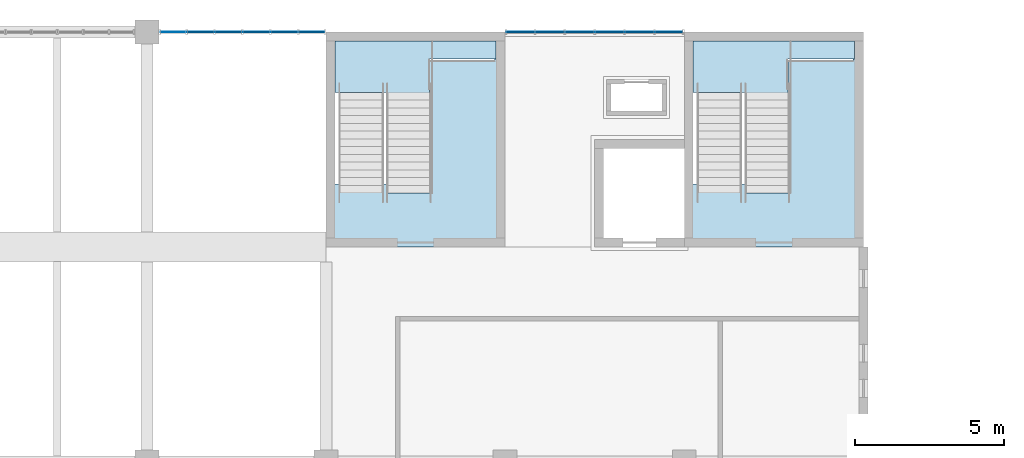
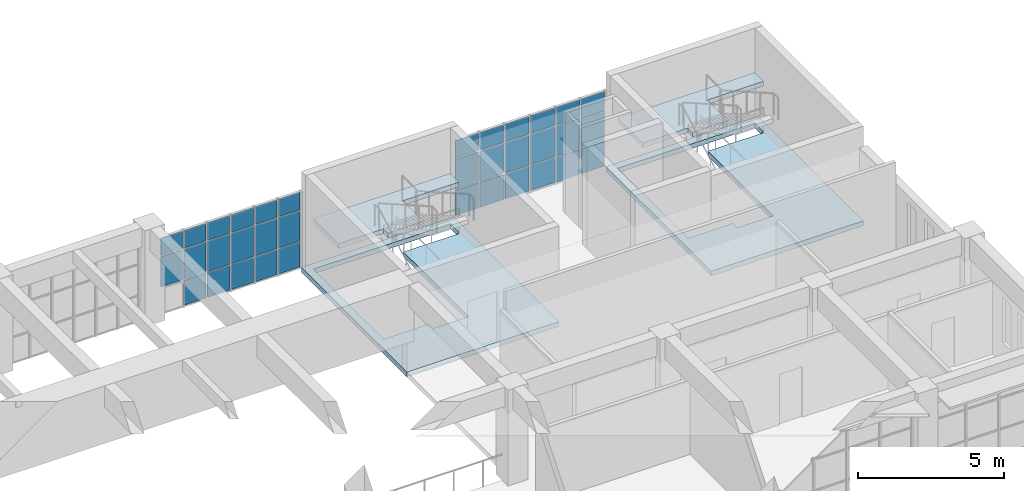
# One storey, part 29 of 47: 35 plates, 4 slabs, 4 elements without a shape of their own.
"""IFC4 building model written with IfcOpenShell, lengths in metres."""

from ifc_helpers import new_model, si_unit, direction, frame, origin, origin_2d, place, context, subcontext, project, spatial, polyline, rectangle, outline, extrude, material, layer, layer_set, type_object, element, aggregate, save


model = new_model("IFC4")

# Units and contexts
model_context = context("Model", 3, precision=1e-05, world=origin(), true_north=direction((0.0, 1.0)))
body_context = subcontext(model_context, "Body", "Model", "MODEL_VIEW")
ifc_project = project(units=[si_unit("LENGTHUNIT", "METRE"), si_unit("AREAUNIT", "SQUARE_METRE"), si_unit("VOLUMEUNIT", "CUBIC_METRE"), si_unit("PLANEANGLEUNIT", "RADIAN"), si_unit("MASSUNIT", "GRAM", prefix="KILO")], contexts=[model_context])

# Site, building, storey
site_placement = place(None, origin())
site = spatial("IfcSite", under=ifc_project, at=site_placement, CompositionType="ELEMENT")
building_placement = place(site_placement, origin())
building = spatial("IfcBuilding", under=site, at=building_placement, Name="Laocheng Heights Fire and Rescue Headquarters", CompositionType="ELEMENT")
storey_placement = place(building_placement, frame((0.0, 0.0, 16.800048828125)))
storey = spatial("IfcBuildingStorey", under=building, at=storey_placement, Name="L04", CompositionType="ELEMENT", Elevation=16.800048828125)

# Curtain wall, plates
ifc_material_1 = material(Name="Dark anodised aluminium unitised curtain wall, low-e double glazing", Category="aluminium")
curtain_wall_type_1 = type_object("IfcCurtainWallType", Name="CW 5600 x 3200 HQ CONTROL ROOM FACE", PredefinedType="NOTDEFINED", material=ifc_material_1)
curtain_wall_1_placement = place(storey_placement, origin())
curtain_wall_1 = element("IfcCurtainWall", 1, at=curtain_wall_1_placement, inside=storey, type_object=curtain_wall_type_1, Name="X25-X HQ NORTH L04", PredefinedType="NOTDEFINED")
ifc_material_2 = material(Name="Laminated safety glass, low-e double glazed unit", Category="glass")
ifc_layer_1 = layer(ifc_material_2, 0.0400390625)
ifc_layer_set_1 = layer_set([ifc_layer_1], Name="Laminated safety glass, low-e double glazed unit")
plate_type_1 = type_object("IfcPlateType", Name="CW LAMINATED SAFETY PANEL 40 X", PredefinedType="CURTAIN_PANEL", material=ifc_layer_set_1)
plate_1_placement = place(storey_placement, frame((61.800048828125, 72.0, 0.050048828125), z_axis=(0.0, 0.0, 1.0), x_axis=(1.0, 0.0, 0.0)))
plate_1 = element("IfcPlate", 2, at=plate_1_placement, type_object=plate_type_1, Name="X25-X panel 2.1", PredefinedType="CURTAIN_PANEL", context=body_context, shape_type="SweptSolid", body=[
    extrude(rectangle(XDim=0.873291015625, YDim=0.0400390625, at=origin_2d()), origin(), (0.0, 0.0, 1.0), 1.02490234375),
])
plate_2_placement = place(storey_placement, frame((62.7333984375, 72.0, 0.050048828125), z_axis=(0.0, 0.0, 1.0), x_axis=(1.0, 0.0, 0.0)))
plate_2 = element("IfcPlate", 3, at=plate_2_placement, type_object=plate_type_1, Name="X25-X panel 3.1", PredefinedType="CURTAIN_PANEL", context=body_context, shape_type="SweptSolid", body=[
    extrude(rectangle(XDim=0.873291015625, YDim=0.0400390625, at=origin_2d()), origin(), (0.0, 0.0, 1.0), 1.02490234375),
])
plate_3_placement = place(storey_placement, frame((63.666748046875, 72.0, 0.050048828125), z_axis=(0.0, 0.0, 1.0), x_axis=(1.0, 0.0, 0.0)))
plate_3 = element("IfcPlate", 4, at=plate_3_placement, type_object=plate_type_1, Name="X25-X panel 4.1", PredefinedType="CURTAIN_PANEL", context=body_context, shape_type="SweptSolid", body=[
    extrude(rectangle(XDim=0.873291015625, YDim=0.0400390625, at=origin_2d()), origin(), (0.0, 0.0, 1.0), 1.02490234375),
])
plate_4_placement = place(storey_placement, frame((64.60009765625, 72.0, 0.050048828125), z_axis=(0.0, 0.0, 1.0), x_axis=(1.0, 0.0, 0.0)))
plate_4 = element("IfcPlate", 5, at=plate_4_placement, type_object=plate_type_1, Name="X25-X panel 5.1", PredefinedType="CURTAIN_PANEL", context=body_context, shape_type="SweptSolid", body=[
    extrude(rectangle(XDim=0.873291015625, YDim=0.0400390625, at=origin_2d()), origin(), (0.0, 0.0, 1.0), 1.02490234375),
])
plate_5_placement = place(storey_placement, frame((65.518310546875, 72.0, 0.050048828125), z_axis=(0.0, 0.0, 1.0), x_axis=(1.0, 0.0, 0.0)))
plate_5 = element("IfcPlate", 6, at=plate_5_placement, type_object=plate_type_1, Name="X25-X panel 6.1", PredefinedType="CURTAIN_PANEL", context=body_context, shape_type="SweptSolid", body=[
    extrude(rectangle(XDim=0.84326171875, YDim=0.0400390625, at=origin_2d()), origin(), (0.0, 0.0, 1.0), 1.02490234375),
])

ifc_material_3 = material(Name="Dark anodised aluminium unitised curtain wall, low-e double glazing", Category="aluminium")
curtain_wall_type_2 = type_object("IfcCurtainWallType", Name="CW 6000 x 3200 HQ CONTROL ROOM FACE", PredefinedType="NOTDEFINED", material=ifc_material_3)
curtain_wall_2_placement = place(storey_placement, origin())
curtain_wall_2 = element("IfcCurtainWall", 7, at=curtain_wall_2_placement, inside=storey, type_object=curtain_wall_type_2, Name="X23-X HQ NORTH L04", PredefinedType="NOTDEFINED")
plate_6_placement = place(storey_placement, frame((72.514892578125, 72.0, 0.050048828125), z_axis=(0.0, 0.0, 1.0), x_axis=(1.0, 0.0, 0.0)))
plate_6 = element("IfcPlate", 8, at=plate_6_placement, type_object=plate_type_1, Name="X23-X panel 1.1", PredefinedType="CURTAIN_PANEL", context=body_context, shape_type="SweptSolid", body=[
    extrude(rectangle(XDim=0.909912109375, YDim=0.0400390625, at=origin_2d()), origin(), (0.0, 0.0, 1.0), 1.02490234375),
])
plate_7_placement = place(storey_placement, frame((73.5, 72.0, 0.050048828125), z_axis=(0.0, 0.0, 1.0), x_axis=(1.0, 0.0, 0.0)))
plate_7 = element("IfcPlate", 9, at=plate_7_placement, type_object=plate_type_1, Name="X23-X panel 2.1", PredefinedType="CURTAIN_PANEL", context=body_context, shape_type="SweptSolid", body=[
    extrude(rectangle(XDim=0.93994140625, YDim=0.0400390625, at=origin_2d()), origin(), (0.0, 0.0, 1.0), 1.02490234375),
])
plate_8_placement = place(storey_placement, frame((74.5, 72.0, 0.050048828125), z_axis=(0.0, 0.0, 1.0), x_axis=(1.0, 0.0, 0.0)))
plate_8 = element("IfcPlate", 10, at=plate_8_placement, type_object=plate_type_1, Name="X23-X panel 3.1", PredefinedType="CURTAIN_PANEL", context=body_context, shape_type="SweptSolid", body=[
    extrude(rectangle(XDim=0.93994140625, YDim=0.0400390625, at=origin_2d()), origin(), (0.0, 0.0, 1.0), 1.02490234375),
])
plate_9_placement = place(storey_placement, frame((75.5, 72.0, 0.050048828125), z_axis=(0.0, 0.0, 1.0), x_axis=(1.0, 0.0, 0.0)))
plate_9 = element("IfcPlate", 11, at=plate_9_placement, type_object=plate_type_1, Name="X23-X panel 4.1", PredefinedType="CURTAIN_PANEL", context=body_context, shape_type="SweptSolid", body=[
    extrude(rectangle(XDim=0.93994140625, YDim=0.0400390625, at=origin_2d()), origin(), (0.0, 0.0, 1.0), 1.02490234375),
])
plate_10_placement = place(storey_placement, frame((76.5, 72.0, 0.050048828125), z_axis=(0.0, 0.0, 1.0), x_axis=(1.0, 0.0, 0.0)))
plate_10 = element("IfcPlate", 12, at=plate_10_placement, type_object=plate_type_1, Name="X23-X panel 5.1", PredefinedType="CURTAIN_PANEL", context=body_context, shape_type="SweptSolid", body=[
    extrude(rectangle(XDim=0.93994140625, YDim=0.0400390625, at=origin_2d()), origin(), (0.0, 0.0, 1.0), 1.02490234375),
])
plate_11_placement = place(storey_placement, frame((77.485107421875, 72.0, 0.050048828125), z_axis=(0.0, 0.0, 1.0), x_axis=(1.0, 0.0, 0.0)))
plate_11 = element("IfcPlate", 13, at=plate_11_placement, type_object=plate_type_1, Name="X23-X panel 6.1", PredefinedType="CURTAIN_PANEL", context=body_context, shape_type="SweptSolid", body=[
    extrude(rectangle(XDim=0.909912109375, YDim=0.0400390625, at=origin_2d()), origin(), (0.0, 0.0, 1.0), 1.02490234375),
])

# Plate
ifc_material_4 = material(Name="Low-e double glazed unit, laminated inner pane")
ifc_layer_2 = layer(ifc_material_4, 0.028076171875)
ifc_layer_set_2 = layer_set([ifc_layer_2], Name="Low-e double glazed unit, laminated inner pane")
plate_type_2 = type_object("IfcPlateType", Name="CW VISION PANEL 28 X", PredefinedType="CURTAIN_PANEL", material=ifc_layer_set_2)
plate_12_placement = place(storey_placement, frame((60.881591796875, 72.0, 1.125), z_axis=(0.0, 0.0, 1.0), x_axis=(1.0, 0.0, 0.0)))
plate_12 = element("IfcPlate", 14, at=plate_12_placement, type_object=plate_type_2, Name="X25-X panel 1.2", PredefinedType="CURTAIN_PANEL", context=body_context, shape_type="SweptSolid", body=[
    extrude(rectangle(XDim=0.84326171875, YDim=0.028076171875, at=origin_2d()), origin(), (0.0, 0.0, 1.0), 1.25),
])

plate_13_placement = place(storey_placement, frame((60.881591796875, 72.0, 2.4248046875), z_axis=(0.0, 0.0, 1.0), x_axis=(1.0, 0.0, 0.0)))
plate_13 = element("IfcPlate", 15, at=plate_13_placement, type_object=plate_type_2, Name="X25-X panel 1.3", PredefinedType="CURTAIN_PANEL", context=body_context, shape_type="SweptSolid", body=[
    extrude(rectangle(XDim=0.84326171875, YDim=0.028076171875, at=origin_2d()), origin(), (0.0, 0.0, 1.0), 0.72509765625),
])

plate_14_placement = place(storey_placement, frame((61.800048828125, 72.0, 1.125), z_axis=(0.0, 0.0, 1.0), x_axis=(1.0, 0.0, 0.0)))
plate_14 = element("IfcPlate", 16, at=plate_14_placement, type_object=plate_type_2, Name="X25-X panel 2.2", PredefinedType="CURTAIN_PANEL", context=body_context, shape_type="SweptSolid", body=[
    extrude(rectangle(XDim=0.873291015625, YDim=0.028076171875, at=origin_2d()), origin(), (0.0, 0.0, 1.0), 1.25),
])

plate_15_placement = place(storey_placement, frame((61.800048828125, 72.0, 2.4248046875), z_axis=(0.0, 0.0, 1.0), x_axis=(1.0, 0.0, 0.0)))
plate_15 = element("IfcPlate", 17, at=plate_15_placement, type_object=plate_type_2, Name="X25-X panel 2.3", PredefinedType="CURTAIN_PANEL", context=body_context, shape_type="SweptSolid", body=[
    extrude(rectangle(XDim=0.873291015625, YDim=0.028076171875, at=origin_2d()), origin(), (0.0, 0.0, 1.0), 0.72509765625),
])

plate_16_placement = place(storey_placement, frame((62.7333984375, 72.0, 1.125), z_axis=(0.0, 0.0, 1.0), x_axis=(1.0, 0.0, 0.0)))
plate_16 = element("IfcPlate", 18, at=plate_16_placement, type_object=plate_type_2, Name="X25-X panel 3.2", PredefinedType="CURTAIN_PANEL", context=body_context, shape_type="SweptSolid", body=[
    extrude(rectangle(XDim=0.873291015625, YDim=0.028076171875, at=origin_2d()), origin(), (0.0, 0.0, 1.0), 1.25),
])

plate_17_placement = place(storey_placement, frame((62.7333984375, 72.0, 2.4248046875), z_axis=(0.0, 0.0, 1.0), x_axis=(1.0, 0.0, 0.0)))
plate_17 = element("IfcPlate", 19, at=plate_17_placement, type_object=plate_type_2, Name="X25-X panel 3.3", PredefinedType="CURTAIN_PANEL", context=body_context, shape_type="SweptSolid", body=[
    extrude(rectangle(XDim=0.873291015625, YDim=0.028076171875, at=origin_2d()), origin(), (0.0, 0.0, 1.0), 0.72509765625),
])

plate_18_placement = place(storey_placement, frame((63.666748046875, 72.0, 1.125), z_axis=(0.0, 0.0, 1.0), x_axis=(1.0, 0.0, 0.0)))
plate_18 = element("IfcPlate", 20, at=plate_18_placement, type_object=plate_type_2, Name="X25-X panel 4.2", PredefinedType="CURTAIN_PANEL", context=body_context, shape_type="SweptSolid", body=[
    extrude(rectangle(XDim=0.873291015625, YDim=0.028076171875, at=origin_2d()), origin(), (0.0, 0.0, 1.0), 1.25),
])

plate_19_placement = place(storey_placement, frame((63.666748046875, 72.0, 2.4248046875), z_axis=(0.0, 0.0, 1.0), x_axis=(1.0, 0.0, 0.0)))
plate_19 = element("IfcPlate", 21, at=plate_19_placement, type_object=plate_type_2, Name="X25-X panel 4.3", PredefinedType="CURTAIN_PANEL", context=body_context, shape_type="SweptSolid", body=[
    extrude(rectangle(XDim=0.873291015625, YDim=0.028076171875, at=origin_2d()), origin(), (0.0, 0.0, 1.0), 0.72509765625),
])

plate_20_placement = place(storey_placement, frame((64.60009765625, 72.0, 1.125), z_axis=(0.0, 0.0, 1.0), x_axis=(1.0, 0.0, 0.0)))
plate_20 = element("IfcPlate", 22, at=plate_20_placement, type_object=plate_type_2, Name="X25-X panel 5.2", PredefinedType="CURTAIN_PANEL", context=body_context, shape_type="SweptSolid", body=[
    extrude(rectangle(XDim=0.873291015625, YDim=0.028076171875, at=origin_2d()), origin(), (0.0, 0.0, 1.0), 1.25),
])

plate_21_placement = place(storey_placement, frame((64.60009765625, 72.0, 2.4248046875), z_axis=(0.0, 0.0, 1.0), x_axis=(1.0, 0.0, 0.0)))
plate_21 = element("IfcPlate", 23, at=plate_21_placement, type_object=plate_type_2, Name="X25-X panel 5.3", PredefinedType="CURTAIN_PANEL", context=body_context, shape_type="SweptSolid", body=[
    extrude(rectangle(XDim=0.873291015625, YDim=0.028076171875, at=origin_2d()), origin(), (0.0, 0.0, 1.0), 0.72509765625),
])

plate_22_placement = place(storey_placement, frame((65.518310546875, 72.0, 1.125), z_axis=(0.0, 0.0, 1.0), x_axis=(1.0, 0.0, 0.0)))
plate_22 = element("IfcPlate", 24, at=plate_22_placement, type_object=plate_type_2, Name="X25-X panel 6.2", PredefinedType="CURTAIN_PANEL", context=body_context, shape_type="SweptSolid", body=[
    extrude(rectangle(XDim=0.84326171875, YDim=0.028076171875, at=origin_2d()), origin(), (0.0, 0.0, 1.0), 1.25),
])

plate_23_placement = place(storey_placement, frame((65.518310546875, 72.0, 2.4248046875), z_axis=(0.0, 0.0, 1.0), x_axis=(1.0, 0.0, 0.0)))
plate_23 = element("IfcPlate", 25, at=plate_23_placement, type_object=plate_type_2, Name="X25-X panel 6.3", PredefinedType="CURTAIN_PANEL", context=body_context, shape_type="SweptSolid", body=[
    extrude(rectangle(XDim=0.84326171875, YDim=0.028076171875, at=origin_2d()), origin(), (0.0, 0.0, 1.0), 0.72509765625),
])

aggregate(curtain_wall_1, [plate_12, plate_13, plate_1, plate_14, plate_15, plate_2, plate_16, plate_17, plate_3, plate_18, plate_19, plate_4, plate_20, plate_21, plate_5, plate_22, plate_23])

plate_24_placement = place(storey_placement, frame((72.514892578125, 72.0, 1.125), z_axis=(0.0, 0.0, 1.0), x_axis=(1.0, 0.0, 0.0)))
plate_24 = element("IfcPlate", 26, at=plate_24_placement, type_object=plate_type_2, Name="X23-X panel 1.2", PredefinedType="CURTAIN_PANEL", context=body_context, shape_type="SweptSolid", body=[
    extrude(rectangle(XDim=0.909912109375, YDim=0.028076171875, at=origin_2d()), origin(), (0.0, 0.0, 1.0), 1.25),
])

plate_25_placement = place(storey_placement, frame((72.514892578125, 72.0, 2.4248046875), z_axis=(0.0, 0.0, 1.0), x_axis=(1.0, 0.0, 0.0)))
plate_25 = element("IfcPlate", 27, at=plate_25_placement, type_object=plate_type_2, Name="X23-X panel 1.3", PredefinedType="CURTAIN_PANEL", context=body_context, shape_type="SweptSolid", body=[
    extrude(rectangle(XDim=0.909912109375, YDim=0.028076171875, at=origin_2d()), origin(), (0.0, 0.0, 1.0), 0.72509765625),
])

plate_26_placement = place(storey_placement, frame((73.5, 72.0, 1.125), z_axis=(0.0, 0.0, 1.0), x_axis=(1.0, 0.0, 0.0)))
plate_26 = element("IfcPlate", 28, at=plate_26_placement, type_object=plate_type_2, Name="X23-X panel 2.2", PredefinedType="CURTAIN_PANEL", context=body_context, shape_type="SweptSolid", body=[
    extrude(rectangle(XDim=0.93994140625, YDim=0.028076171875, at=origin_2d()), origin(), (0.0, 0.0, 1.0), 1.25),
])

plate_27_placement = place(storey_placement, frame((73.5, 72.0, 2.4248046875), z_axis=(0.0, 0.0, 1.0), x_axis=(1.0, 0.0, 0.0)))
plate_27 = element("IfcPlate", 29, at=plate_27_placement, type_object=plate_type_2, Name="X23-X panel 2.3", PredefinedType="CURTAIN_PANEL", context=body_context, shape_type="SweptSolid", body=[
    extrude(rectangle(XDim=0.93994140625, YDim=0.028076171875, at=origin_2d()), origin(), (0.0, 0.0, 1.0), 0.72509765625),
])

plate_28_placement = place(storey_placement, frame((74.5, 72.0, 1.125), z_axis=(0.0, 0.0, 1.0), x_axis=(1.0, 0.0, 0.0)))
plate_28 = element("IfcPlate", 30, at=plate_28_placement, type_object=plate_type_2, Name="X23-X panel 3.2", PredefinedType="CURTAIN_PANEL", context=body_context, shape_type="SweptSolid", body=[
    extrude(rectangle(XDim=0.93994140625, YDim=0.028076171875, at=origin_2d()), origin(), (0.0, 0.0, 1.0), 1.25),
])

plate_29_placement = place(storey_placement, frame((74.5, 72.0, 2.4248046875), z_axis=(0.0, 0.0, 1.0), x_axis=(1.0, 0.0, 0.0)))
plate_29 = element("IfcPlate", 31, at=plate_29_placement, type_object=plate_type_2, Name="X23-X panel 3.3", PredefinedType="CURTAIN_PANEL", context=body_context, shape_type="SweptSolid", body=[
    extrude(rectangle(XDim=0.93994140625, YDim=0.028076171875, at=origin_2d()), origin(), (0.0, 0.0, 1.0), 0.72509765625),
])

plate_30_placement = place(storey_placement, frame((75.5, 72.0, 1.125), z_axis=(0.0, 0.0, 1.0), x_axis=(1.0, 0.0, 0.0)))
plate_30 = element("IfcPlate", 32, at=plate_30_placement, type_object=plate_type_2, Name="X23-X panel 4.2", PredefinedType="CURTAIN_PANEL", context=body_context, shape_type="SweptSolid", body=[
    extrude(rectangle(XDim=0.93994140625, YDim=0.028076171875, at=origin_2d()), origin(), (0.0, 0.0, 1.0), 1.25),
])

plate_31_placement = place(storey_placement, frame((75.5, 72.0, 2.4248046875), z_axis=(0.0, 0.0, 1.0), x_axis=(1.0, 0.0, 0.0)))
plate_31 = element("IfcPlate", 33, at=plate_31_placement, type_object=plate_type_2, Name="X23-X panel 4.3", PredefinedType="CURTAIN_PANEL", context=body_context, shape_type="SweptSolid", body=[
    extrude(rectangle(XDim=0.93994140625, YDim=0.028076171875, at=origin_2d()), origin(), (0.0, 0.0, 1.0), 0.72509765625),
])

plate_32_placement = place(storey_placement, frame((76.5, 72.0, 1.125), z_axis=(0.0, 0.0, 1.0), x_axis=(1.0, 0.0, 0.0)))
plate_32 = element("IfcPlate", 34, at=plate_32_placement, type_object=plate_type_2, Name="X23-X panel 5.2", PredefinedType="CURTAIN_PANEL", context=body_context, shape_type="SweptSolid", body=[
    extrude(rectangle(XDim=0.93994140625, YDim=0.028076171875, at=origin_2d()), origin(), (0.0, 0.0, 1.0), 1.25),
])

plate_33_placement = place(storey_placement, frame((76.5, 72.0, 2.4248046875), z_axis=(0.0, 0.0, 1.0), x_axis=(1.0, 0.0, 0.0)))
plate_33 = element("IfcPlate", 35, at=plate_33_placement, type_object=plate_type_2, Name="X23-X panel 5.3", PredefinedType="CURTAIN_PANEL", context=body_context, shape_type="SweptSolid", body=[
    extrude(rectangle(XDim=0.93994140625, YDim=0.028076171875, at=origin_2d()), origin(), (0.0, 0.0, 1.0), 0.72509765625),
])

plate_34_placement = place(storey_placement, frame((77.485107421875, 72.0, 1.125), z_axis=(0.0, 0.0, 1.0), x_axis=(1.0, 0.0, 0.0)))
plate_34 = element("IfcPlate", 36, at=plate_34_placement, type_object=plate_type_2, Name="X23-X panel 6.2", PredefinedType="CURTAIN_PANEL", context=body_context, shape_type="SweptSolid", body=[
    extrude(rectangle(XDim=0.909912109375, YDim=0.028076171875, at=origin_2d()), origin(), (0.0, 0.0, 1.0), 1.25),
])

plate_35_placement = place(storey_placement, frame((77.485107421875, 72.0, 2.4248046875), z_axis=(0.0, 0.0, 1.0), x_axis=(1.0, 0.0, 0.0)))
plate_35 = element("IfcPlate", 37, at=plate_35_placement, type_object=plate_type_2, Name="X23-X panel 6.3", PredefinedType="CURTAIN_PANEL", context=body_context, shape_type="SweptSolid", body=[
    extrude(rectangle(XDim=0.909912109375, YDim=0.028076171875, at=origin_2d()), origin(), (0.0, 0.0, 1.0), 0.72509765625),
])

aggregate(curtain_wall_2, [plate_6, plate_24, plate_25, plate_7, plate_26, plate_27, plate_8, plate_28, plate_29, plate_9, plate_30, plate_31, plate_10, plate_32, plate_33, plate_11, plate_34, plate_35])

# Stair, slab
ifc_material_5 = material(Name="Concrete C40", Category="concrete")
stair_type = type_object("IfcStairType", Name="RC STAIR 1400 TWO FLIGHTS 28 RISERS OF 150 GOING 260", PredefinedType="HALF_TURN_STAIR", material=ifc_material_5)
stair_1_placement = place(storey_placement, origin())
stair_1 = element("IfcStair", 38, at=stair_1_placement, inside=storey, type_object=stair_type, Name="Stair H2 (L04 to L05)", PredefinedType="HALF_TURN_STAIR")
ifc_material_6 = material(Name="Concrete C40", Category="concrete")
ifc_layer_3 = layer(ifc_material_6, 0.199951171875)
ifc_layer_set_3 = layer_set([ifc_layer_3], Name="Concrete C40")
slab_type_1 = type_object("IfcSlabType", Name="STAIR FLOOR LANDING 200", PredefinedType="LANDING", material=ifc_layer_set_3)
slab_1_placement = place(storey_placement, frame((0.0, 0.0, -0.199951171875)))
slab_1 = element("IfcSlab", 39, at=slab_1_placement, type_object=slab_type_1, Name="Stair H2 floor landing L04", PredefinedType="LANDING", context=body_context, shape_type="SweptSolid", body=[
    extrude(outline(polyline([(78.0, 72.0), (84.0, 72.0), (84.0, 64.800048828125), (78.0, 64.800048828125), (78.0, 72.0)]), holes=[polyline([(80.074951171875, 66.900146484375), (80.074951171875, 66.60302734375), (81.47509765625, 66.60302734375), (81.47509765625, 69.679931640625), (81.47509765625, 71.050048828125), (83.64990234375, 71.050048828125), (83.64990234375, 71.10009765625), (83.699951171875, 71.10009765625), (83.699951171875, 71.699951171875), (81.47509765625, 71.699951171875), (80.074951171875, 71.699951171875), (78.300048828125, 71.699951171875), (78.300048828125, 69.97705078125), (78.300048828125, 66.900146484375), (80.074951171875, 66.900146484375)])]), origin(), (0.0, 0.0, 1.0), 0.199951171875),
])

stair_2_placement = place(storey_placement, origin())
stair_2 = element("IfcStair", 40, at=stair_2_placement, inside=storey, type_object=stair_type, Name="Stair H3 (L04 to L05)", PredefinedType="HALF_TURN_STAIR")
slab_2_placement = place(storey_placement, frame((0.0, 0.0, -0.199951171875)))
slab_2 = element("IfcSlab", 41, at=slab_2_placement, type_object=slab_type_1, Name="Stair H3 floor landing L04", PredefinedType="LANDING", context=body_context, shape_type="SweptSolid", body=[
    extrude(outline(polyline([(66.0, 72.0), (72.0, 72.0), (72.0, 64.800048828125), (66.0, 64.800048828125), (66.0, 72.0)]), holes=[polyline([(68.074951171875, 66.900146484375), (68.074951171875, 66.60302734375), (69.47509765625, 66.60302734375), (69.47509765625, 69.679931640625), (69.47509765625, 71.050048828125), (71.64990234375, 71.050048828125), (71.64990234375, 71.10009765625), (71.699951171875, 71.10009765625), (71.699951171875, 71.699951171875), (69.47509765625, 71.699951171875), (68.074951171875, 71.699951171875), (66.300048828125, 71.699951171875), (66.300048828125, 69.97705078125), (66.300048828125, 66.900146484375), (68.074951171875, 66.900146484375)])]), origin(), (0.0, 0.0, 1.0), 0.199951171875),
])

# Slab
ifc_material_7 = material(Name="Concrete C40", Category="concrete")
ifc_layer_4 = layer(ifc_material_7, 0.201904296875)
ifc_layer_set_4 = layer_set([ifc_layer_4], Name="Concrete C40")
slab_type_2 = type_object("IfcSlabType", Name="STAIR HALF LANDING 202", PredefinedType="LANDING", material=ifc_layer_set_4)
slab_3_placement = place(storey_placement, frame((0.0, 0.0, 1.89990234375)))
slab_3 = element("IfcSlab", 42, at=slab_3_placement, type_object=slab_type_2, Name="H2-L04 landing 1", PredefinedType="LANDING", context=body_context, shape_type="SweptSolid", body=[
    extrude(outline(polyline([(83.699951171875, 71.10009765625), (83.699951171875, 71.699951171875), (81.47509765625, 71.699951171875), (80.074951171875, 71.699951171875), (78.300048828125, 71.699951171875), (78.300048828125, 69.97705078125), (80.074951171875, 69.97705078125), (80.074951171875, 69.679931640625), (81.47509765625, 69.679931640625), (81.47509765625, 71.10009765625), (83.699951171875, 71.10009765625)])), origin(), (0.0, 0.0, 1.0), 0.2021484375),
])

aggregate(stair_1, [slab_3, slab_1])

slab_4_placement = place(storey_placement, frame((0.0, 0.0, 1.89990234375)))
slab_4 = element("IfcSlab", 43, at=slab_4_placement, type_object=slab_type_2, Name="H3-L04 landing 1", PredefinedType="LANDING", context=body_context, shape_type="SweptSolid", body=[
    extrude(outline(polyline([(71.699951171875, 71.10009765625), (71.699951171875, 71.699951171875), (69.47509765625, 71.699951171875), (68.074951171875, 71.699951171875), (66.300048828125, 71.699951171875), (66.300048828125, 69.97705078125), (68.074951171875, 69.97705078125), (68.074951171875, 69.679931640625), (69.47509765625, 69.679931640625), (69.47509765625, 71.10009765625), (71.699951171875, 71.10009765625)])), origin(), (0.0, 0.0, 1.0), 0.2021484375),
])

aggregate(stair_2, [slab_4, slab_2])

save(model, "model.ifc")
